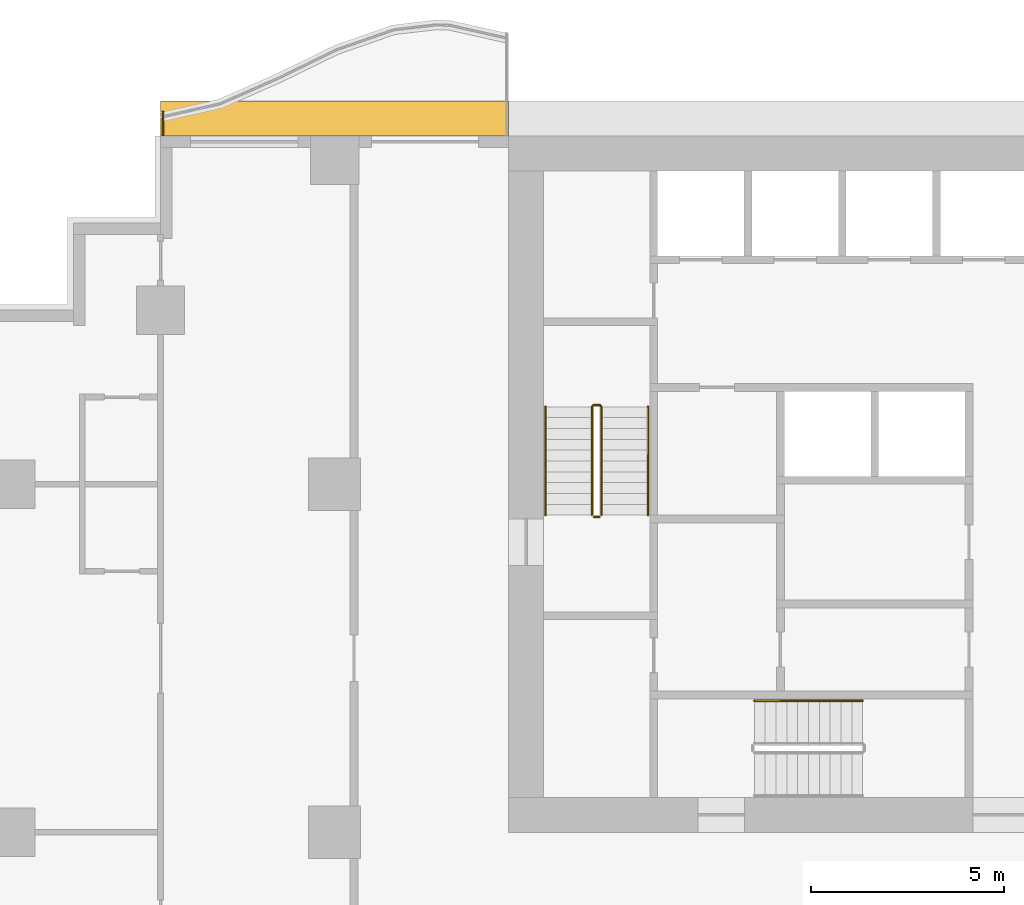
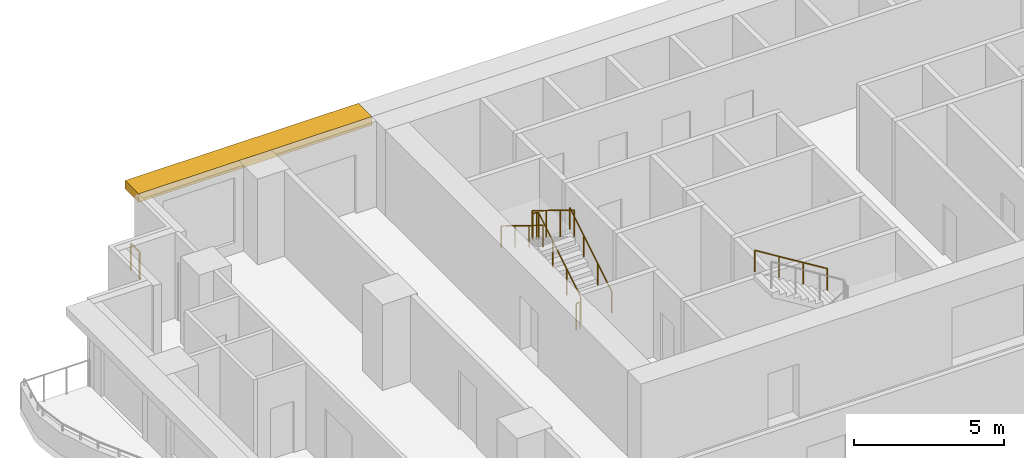
# One storey, part 12 of 14: 6 railings, 1 shading device.
"""IFC4 building model written with IfcOpenShell, lengths in metres."""

from ifc_helpers import new_model, si_unit, direction, frame, origin, origin_2d, place, context, subcontext, project, spatial, polyline, rectangle, circle, outline, extrude, material, layer, layer_set, type_object, element, save


model = new_model("IFC4")

# Units and contexts
model_context = context("Model", 3, precision=1e-05, world=origin(), true_north=direction((0.0, 1.0)))
body_context = subcontext(model_context, "Body", "Model", "MODEL_VIEW")
ifc_project = project(units=[si_unit("LENGTHUNIT", "METRE"), si_unit("AREAUNIT", "SQUARE_METRE"), si_unit("VOLUMEUNIT", "CUBIC_METRE"), si_unit("PLANEANGLEUNIT", "RADIAN"), si_unit("MASSUNIT", "GRAM", prefix="KILO")], contexts=[model_context])

# Site, building, storey
site_placement = place(None, origin())
site = spatial("IfcSite", under=ifc_project, at=site_placement, CompositionType="ELEMENT")
building_placement = place(site_placement, origin())
building = spatial("IfcBuilding", under=site, at=building_placement, Name="Orbiselva Terraces", CompositionType="ELEMENT")
storey_placement = place(building_placement, frame((0.0, 0.0, 111.2)))
storey = spatial("IfcBuildingStorey", under=building, at=storey_placement, Name="L28", CompositionType="ELEMENT", Elevation=111.2)

# Railings
ifc_material_1 = material(Name="Stainless steel", Category="steel")
railing_type_1 = type_object("IfcRailingType", Name="CORE-GUARD-1100", PredefinedType="GUARDRAIL", material=ifc_material_1)
railing_1_placement = place(storey_placement, frame((-11.1, 12.7, 0.172727)))
element("IfcRailing", 1, at=railing_1_placement, inside=storey, type_object=railing_type_1, Name="L28 S1 stair guard 1", PredefinedType="GUARDRAIL", context=body_context, shape_type="SweptSolid", body=[
    extrude(circle(Radius=0.024, at=origin_2d()), frame((0.0, 0.0, 1.081), z_axis=(0.0, 0.851088519012, 0.52502222125), x_axis=(-1.0, 0.0, 0.0)), (0.0, 0.0, 1.0), 3.289905),
    extrude(circle(Radius=0.024, at=origin_2d()), frame((0.0, 2.8, 2.808273), z_axis=(-0.707106781187, 0.707106781187, 0.0), x_axis=(-0.707106781187, -0.707106781187, 0.0)), (0.0, 0.0, 1.0), 0.070711),
    extrude(circle(Radius=0.024, at=origin_2d()), frame((-0.05, 2.85, 2.808273), z_axis=(-1.0, 0.0, 0.0), x_axis=(0.0, -1.0, 0.0)), (0.0, 0.0, 1.0), 0.15),
    extrude(circle(Radius=0.024, at=origin_2d()), frame((-0.2, 2.85, 2.808273), z_axis=(-0.267894925557, -0.267894925557, 0.925453736133), x_axis=(0.707106781187, -0.707106781187, 0.0)), (0.0, 0.0, 1.0), 0.18664),
    extrude(circle(Radius=0.024, at=origin_2d()), frame((-0.25, 2.8, 2.981), z_axis=(0.0, -0.851088519012, 0.52502222125), x_axis=(1.0, 0.0, 0.0)), (0.0, 0.0, 1.0), 3.289905),
    extrude(circle(Radius=0.021, at=origin_2d()), origin(), (0.0, 0.0, 1.0), 1.057),
    extrude(circle(Radius=0.021, at=origin_2d()), frame((0.0, 0.933333, 0.575758)), (0.0, 0.0, 1.0), 1.057),
    extrude(circle(Radius=0.021, at=origin_2d()), frame((0.0, 1.866667, 1.151515)), (0.0, 0.0, 1.0), 1.057),
    extrude(circle(Radius=0.021, at=origin_2d()), frame((0.0, 2.8, 1.727273)), (0.0, 0.0, 1.0), 1.057),
    extrude(circle(Radius=0.021, at=origin_2d()), frame((-0.05, 2.85, 1.727273)), (0.0, 0.0, 1.0), 1.057),
    extrude(circle(Radius=0.021, at=origin_2d()), frame((-0.2, 2.85, 1.727273)), (0.0, 0.0, 1.0), 1.057),
    extrude(circle(Radius=0.021, at=origin_2d()), frame((-0.25, 2.8, 1.9)), (0.0, 0.0, 1.0), 1.057),
    extrude(circle(Radius=0.021, at=origin_2d()), frame((-0.25, 1.866667, 2.475758)), (0.0, 0.0, 1.0), 1.057),
    extrude(circle(Radius=0.021, at=origin_2d()), frame((-0.25, 0.933333, 3.051515)), (0.0, 0.0, 1.0), 1.057),
    extrude(circle(Radius=0.021, at=origin_2d()), frame((-0.25, 0.0, 3.627273)), (0.0, 0.0, 1.0), 1.057),
])
railing_2_placement = place(storey_placement, frame((-11.15, 12.65, 0.0)))
element("IfcRailing", 2, at=railing_2_placement, inside=storey, type_object=railing_type_1, Name="L28 S1 stair guard 2", PredefinedType="GUARDRAIL", context=body_context, shape_type="SweptSolid", body=[
    extrude(circle(Radius=0.024, at=origin_2d()), frame((0.0, 0.0, 1.081), z_axis=(-1.0, 0.0, 0.0), x_axis=(0.0, -1.0, 0.0)), (0.0, 0.0, 1.0), 0.15),
    extrude(circle(Radius=0.021, at=origin_2d()), origin(), (0.0, 0.0, 1.0), 1.057),
    extrude(circle(Radius=0.021, at=origin_2d()), frame((-0.15, 0.0, 0.0)), (0.0, 0.0, 1.0), 1.057),
])
railing_type_2 = type_object("IfcRailingType", Name="CORE-HANDRAIL-900", PredefinedType="HANDRAIL", material=ifc_material_1)
railing_3_placement = place(storey_placement, frame((-9.9, 12.7, 0.172727)))
element("IfcRailing", 3, at=railing_3_placement, inside=storey, type_object=railing_type_2, Name="L28 S1 stair handrail 1", PredefinedType="HANDRAIL", context=body_context, shape_type="SweptSolid", body=[
    extrude(circle(Radius=0.024, at=origin_2d()), frame((0.0, 0.0, 0.876), z_axis=(0.0, 0.851088519012, 0.52502222125), x_axis=(-1.0, 0.0, 0.0)), (0.0, 0.0, 1.0), 3.289905),
    extrude(circle(Radius=0.021, at=origin_2d()), origin(), (0.0, 0.0, 1.0), 0.852),
    extrude(circle(Radius=0.021, at=origin_2d()), frame((0.0, 0.933333, 0.575758)), (0.0, 0.0, 1.0), 0.852),
    extrude(circle(Radius=0.021, at=origin_2d()), frame((0.0, 1.866667, 1.151515)), (0.0, 0.0, 1.0), 0.852),
    extrude(circle(Radius=0.021, at=origin_2d()), frame((0.0, 2.8, 1.727273)), (0.0, 0.0, 1.0), 0.852),
])
railing_4_placement = place(storey_placement, frame((-12.55, 15.5, 2.072727)))
element("IfcRailing", 4, at=railing_4_placement, inside=storey, type_object=railing_type_2, Name="L28 S1 stair handrail 2", PredefinedType="HANDRAIL", context=body_context, shape_type="SweptSolid", body=[
    extrude(circle(Radius=0.024, at=origin_2d()), frame((0.0, 0.0, 0.876), z_axis=(0.0, -0.851088519012, 0.52502222125), x_axis=(1.0, 0.0, 0.0)), (0.0, 0.0, 1.0), 3.289905),
    extrude(circle(Radius=0.021, at=origin_2d()), origin(), (0.0, 0.0, 1.0), 0.852),
    extrude(circle(Radius=0.021, at=origin_2d()), frame((0.0, -0.933333, 0.575758)), (0.0, 0.0, 1.0), 0.852),
    extrude(circle(Radius=0.021, at=origin_2d()), frame((0.0, -1.866667, 1.151515)), (0.0, 0.0, 1.0), 0.852),
    extrude(circle(Radius=0.021, at=origin_2d()), frame((0.0, -2.8, 1.727273)), (0.0, 0.0, 1.0), 0.852),
])
railing_5_placement = place(storey_placement, frame((-4.35, 7.9, 2.072727)))
element("IfcRailing", 5, at=railing_5_placement, inside=storey, type_object=railing_type_2, Name="L28 S3 stair handrail 2", PredefinedType="HANDRAIL", context=body_context, shape_type="SweptSolid", body=[
    extrude(circle(Radius=0.024, at=origin_2d()), frame((0.0, 0.0, 0.876), z_axis=(-0.851088519012, 0.0, 0.52502222125), x_axis=(0.0, -1.0, 0.0)), (0.0, 0.0, 1.0), 3.289905),
    extrude(circle(Radius=0.021, at=origin_2d()), origin(), (0.0, 0.0, 1.0), 0.852),
    extrude(circle(Radius=0.021, at=origin_2d()), frame((-0.933333, 0.0, 0.575758)), (0.0, 0.0, 1.0), 0.852),
    extrude(circle(Radius=0.021, at=origin_2d()), frame((-1.866667, 0.0, 1.151515)), (0.0, 0.0, 1.0), 0.852),
    extrude(circle(Radius=0.021, at=origin_2d()), frame((-2.8, 0.0, 1.727273)), (0.0, 0.0, 1.0), 0.852),
])
ifc_material_2 = material(Name="Stainless steel rail and posts", Category="steel")
railing_type_3 = type_object("IfcRailingType", Name="ENV-GUARD-1105", PredefinedType="BALUSTRADE", material=ifc_material_2)
railing_6_placement = place(storey_placement, frame((-22.44, 23.119866, 0.0)))
element("IfcRailing", 6, at=railing_6_placement, inside=storey, type_object=railing_type_3, Name="Balcony end guard L28 NW", PredefinedType="BALUSTRADE", context=body_context, shape_type="SweptSolid", body=[
    extrude(outline(polyline([(0.028868, 0.0), (0.014434, 0.025), (-0.014434, 0.025), (-0.028868, 0.0), (-0.014434, -0.025), (0.014434, -0.025), (0.028868, 0.0)])), frame((0.0, 0.0, 1.08), z_axis=(0.0, -1.0, 0.0), x_axis=(1.0, 0.0, 0.0)), (0.0, 0.0, 1.0), 0.594866),
    extrude(rectangle(XDim=0.05, YDim=0.05, at=origin_2d()), origin(), (0.0, 0.0, 1.0), 1.055),
    extrude(rectangle(XDim=0.05, YDim=0.05, at=origin_2d()), frame((0.0, -0.594866, 0.0)), (0.0, 0.0, 1.0), 1.055),
])

# Shading device
ifc_material_3 = material(Name="Terracotta baguette sunshade", Category="masonry")
ifc_layer = layer(ifc_material_3, 0.35)
ifc_layer_set = layer_set([ifc_layer], Name="Terracotta baguette sunshade")
shading_device_type = type_object("IfcShadingDeviceType", Name="ENV-SUNSHADE-900x350", PredefinedType="USERDEFINED", material=ifc_layer_set)
shading_device_placement = place(storey_placement, frame((0.0, 0.0, 3.15)))
element("IfcShadingDevice", 7, at=shading_device_placement, inside=storey, type_object=shading_device_type, Name="Sunshade band L28 NW", ObjectType="SUNSHADE", PredefinedType="USERDEFINED", context=body_context, shape_type="SweptSolid", body=[
    extrude(outline(polyline([(-13.5, 23.4), (-22.5, 23.4), (-22.5, 22.5), (-13.5, 22.5), (-13.5, 23.4)])), origin(), (0.0, 0.0, 1.0), 0.35),
])

save(model, "model.ifc")
